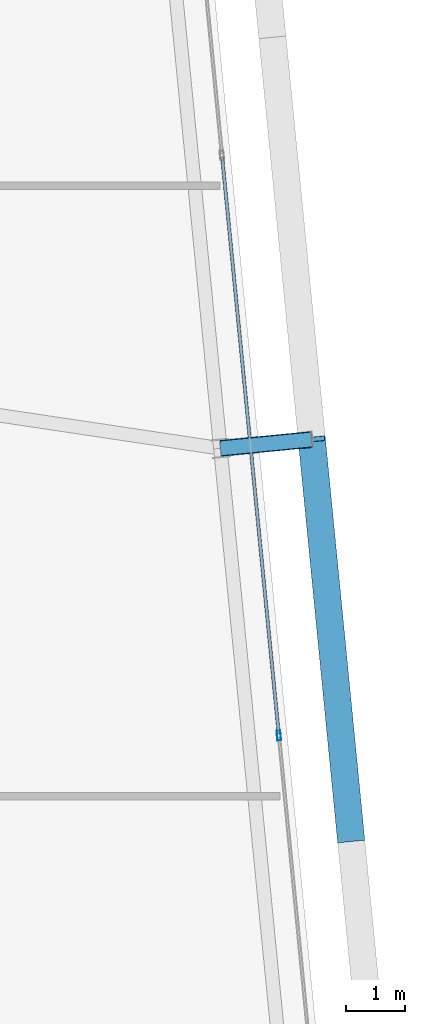
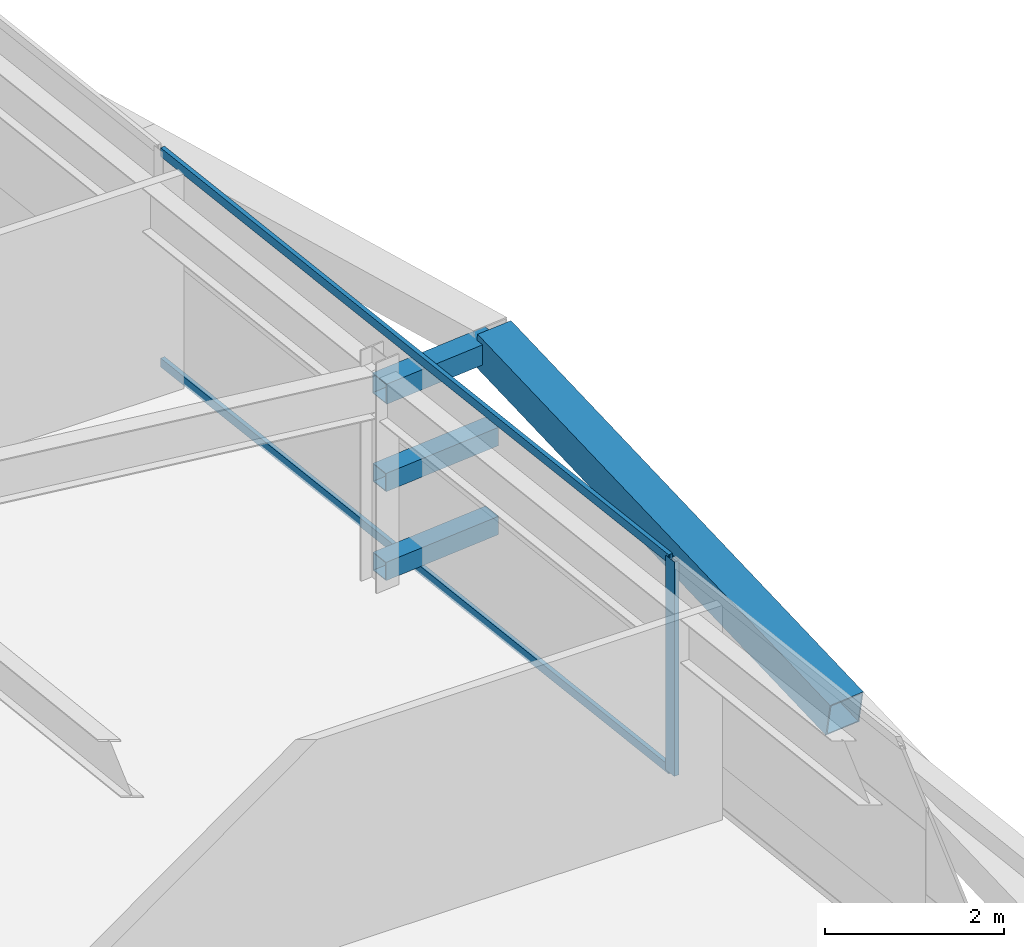
# One storey, part 21 of 47: 7 members, 1 element without a shape of its own.
"""IFC4 building model written with IfcOpenShell, lengths in metres."""

from ifc_helpers import new_model, si_unit, direction, frame, origin, origin_2d, place, context, subcontext, project, spatial, hollow_rectangle, extrude, source, transform, mapped, material, layer, layer_set, material_profile, profile_set, type_object, element, aggregate, save


model = new_model("IFC4")

# Units and contexts
model_context = context("Model", 3, precision=1e-05, world=origin(), true_north=direction((0.0, 1.0)))
body_context = subcontext(model_context, "Body", "Model", "MODEL_VIEW")
ifc_project = project(units=[si_unit("LENGTHUNIT", "METRE"), si_unit("AREAUNIT", "SQUARE_METRE"), si_unit("VOLUMEUNIT", "CUBIC_METRE"), si_unit("PLANEANGLEUNIT", "RADIAN"), si_unit("MASSUNIT", "GRAM", prefix="KILO")], contexts=[model_context])

# Site, building, storey
site_placement = place(None, origin())
site = spatial("IfcSite", under=ifc_project, at=site_placement, CompositionType="ELEMENT")
building_placement = place(site_placement, origin())
building = spatial("IfcBuilding", under=site, at=building_placement, Name="Taldren Reach Tower", CompositionType="ELEMENT")
storey_placement = place(building_placement, frame((0.0, 0.0, 87.14990234375)))
storey = spatial("IfcBuildingStorey", under=building, at=storey_placement, Name="L26", CompositionType="ELEMENT", Elevation=87.14990234375)

# Members
ifc_material_1 = material(Name="Steel Gr 450 (C450L0)", Category="steel")
ifc_material_profile_1 = material_profile(ifc_material_1, hollow_rectangle(XDim=0.27490234375, YDim=0.27490234375, WallThickness=0.00927734375, at=origin_2d()), Name="275x275x9.3SHS")
ifc_profile_set_1 = profile_set([ifc_material_profile_1], Name="Steel Gr 450 (C450L0)")
member_type_1 = type_object("IfcMemberType", Name="MB-TIE273", PredefinedType="STRUT", material=ifc_profile_set_1)
shared_shape_1 = source(origin(), body_context, "Body", "SweptSolid", [
    extrude(hollow_rectangle(XDim=0.27490234375, YDim=0.27490234375, WallThickness=0.00927734375, at=origin_2d()), origin(), (0.0, 0.0, 1.0), 1.5498046875),
])
member_1_placement = place(storey_placement, frame((64.569580078125, 21.968994140625, 2.650146484375), z_axis=(0.995234821595, 0.097507178627, 0.0), x_axis=(-0.097507178627, 0.995234821595, 0.0)))
element("IfcMember", 1, at=member_1_placement, inside=storey, type_object=member_type_1, Name="Exoskeleton diaphragm tie strut B2-E2 L26", PredefinedType="STRUT", context=body_context, shape_type="MappedRepresentation", body=[
    mapped(shared_shape_1, transform((0.0, 0.0, 0.0), scale=1.0)),
])
ifc_material_2 = material(Name="Steel Gr 350 (C350L0)", Category="steel")
ifc_material_profile_2 = material_profile(ifc_material_2, hollow_rectangle(XDim=0.25, YDim=0.25, WallThickness=0.010009765625, at=origin_2d()), Name="250x250x10.0SHS")
ifc_profile_set_2 = profile_set([ifc_material_profile_2], Name="Steel Gr 350 (C350L0)")
member_type_2 = type_object("IfcMemberType", Name="MB-POST250", PredefinedType="POST", material=ifc_profile_set_2)
shared_shape_2 = source(origin(), body_context, "Body", "SweptSolid", [
    extrude(hollow_rectangle(XDim=0.25, YDim=0.25, WallThickness=0.010009765625, at=origin_2d()), origin(), (0.0, 0.0, 1.0), 1.5498046875),
])
for number, where, z_axis, x_axis, name in (
    (2, (64.569580078125, 21.968994140625, 0.22021484375), (0.995234821595, 0.097507178627, 0.0), (-0.097507178627, 0.995234821595, 0.0), "Exoskeleton base diaphragm tie strut B2-E2 L26"),
    (3, (64.569580078125, 21.968994140625, 1.43505859375), (0.995234821595, 0.097507178627, 0.0), (-0.097507178627, 0.995234821595, 0.0), "Exoskeleton mid-tier diaphragm tie B2-E2 L26"),
):
    element("IfcMember", number, at=place(storey_placement, frame(where, z_axis=z_axis, x_axis=x_axis)), inside=storey, type_object=member_type_2, Name=name, PredefinedType="POST", context=body_context, shape_type="MappedRepresentation", body=[
        mapped(shared_shape_2, transform((0.0, 0.0, 0.0), scale=1.0)),
    ])
ifc_material_profile_3 = material_profile(ifc_material_1, hollow_rectangle(XDim=0.4599609375, YDim=0.4599609375, WallThickness=0.01611328125, at=origin_2d()), Name="460x460x16.0SHS")
ifc_profile_set_3 = profile_set([ifc_material_profile_3], Name="Steel Gr 450 (C450L0)")
member_type_3 = type_object("IfcMemberType", Name="MB-EXO457", PredefinedType="BRACE", material=ifc_profile_set_3)
shared_shape_3 = source(origin(), body_context, "Body", "SweptSolid", [
    extrude(hollow_rectangle(XDim=0.4599609375, YDim=0.4599609375, WallThickness=0.01611328125, at=origin_2d()), origin(), (0.0, 0.0, 1.0), 6.883056640625),
])
member_2_placement = place(storey_placement, frame((66.773193359375, 15.37744140625, 1.43505859375), z_axis=(-0.09605145821, 0.97959718347, 0.176531797456), x_axis=(-0.995227290009, -0.097584021339, 0.0)))
element("IfcMember", 4, at=member_2_placement, inside=storey, type_object=member_type_3, Name="Exoskeleton Diagrid Brace B2-E1 L26", PredefinedType="BRACE", context=body_context, shape_type="MappedRepresentation", body=[
    mapped(shared_shape_3, transform((0.0, 0.0, 0.0), scale=1.0)),
])

# Curtain wall, members
ifc_material_3 = material(Name="Aluminium and Low-E Glass Unitised System", Category="aluminium")
ifc_layer = layer(ifc_material_3, 0.159912109375)
ifc_layer_set = layer_set([ifc_layer], Name="Aluminium and Low-E Glass Unitised System")
curtain_wall_type = type_object("IfcCurtainWallType", Name="CW-SYS-3", PredefinedType="NOTDEFINED", material=ifc_layer_set)
curtain_wall_placement = place(storey_placement, origin())
curtain_wall = element("IfcCurtainWall", 5, at=curtain_wall_placement, inside=storey, type_object=curtain_wall_type, Name="Unitised curtain wall CW-L26-E", PredefinedType="NOTDEFINED")
ifc_material_4 = material(Name="Anodised Aluminium 6063-T6", Category="aluminium")
ifc_material_profile_4 = material_profile(ifc_material_4, hollow_rectangle(XDim=0.06494140625, YDim=0.1650390625, WallThickness=0.00390625, at=origin_2d()), Name="ALU-165x65x4RHS")
ifc_profile_set_4 = profile_set([ifc_material_profile_4], Name="Anodised Aluminium 6063-T6")
member_type_4 = type_object("IfcMemberType", Name="CW-MUL-165", PredefinedType="MULLION", material=ifc_profile_set_4)
shared_shape_4 = source(origin(), body_context, "Body", "SweptSolid", [
    extrude(hollow_rectangle(XDim=0.06494140625, YDim=0.1650390625, WallThickness=0.00390625, at=origin_2d()), origin(), (0.0, 0.0, 1.0), 2.93017578125),
])
member_3_placement = place(storey_placement, frame((65.556884765625, 17.12548828125, 0.0), z_axis=(0.0, 0.0, 1.0), x_axis=(-0.99522741555, -0.09758274098, 0.0)))
member_3 = element("IfcMember", 6, at=member_3_placement, type_object=member_type_4, Name="CW-3 mullion 2", PredefinedType="MULLION", context=body_context, shape_type="MappedRepresentation", body=[
    mapped(shared_shape_4, transform((0.0, 0.0, 0.0), scale=1.0)),
])
ifc_material_profile_5 = material_profile(ifc_material_4, hollow_rectangle(XDim=0.054931640625, YDim=0.1201171875, WallThickness=0.0029296875, at=origin_2d()), Name="ALU-120x55x3RHS")
ifc_profile_set_5 = profile_set([ifc_material_profile_5], Name="Anodised Aluminium 6063-T6")
member_type_5 = type_object("IfcMemberType", Name="CW-TRN-135", PredefinedType="USERDEFINED", material=ifc_profile_set_5)
shared_shape_5 = source(origin(), body_context, "Body", "SweptSolid", [
    extrude(hollow_rectangle(XDim=0.054931640625, YDim=0.1201171875, WallThickness=0.0029296875, at=origin_2d()), origin(), (0.0, 0.0, 1.0), 9.768310546875),
])
member_4_placement = place(storey_placement, frame((65.5537109375, 17.15771484375, 0.027587890625), z_axis=(-0.097598120756, 0.995225907432, 0.0), x_axis=(-0.995225907432, -0.097598120756, 0.0)))
member_4 = element("IfcMember", 7, at=member_4_placement, type_object=member_type_5, Name="CW-3 transom 2.1", ObjectType="TRANSOM", PredefinedType="USERDEFINED", context=body_context, shape_type="MappedRepresentation", body=[
    mapped(shared_shape_5, transform((0.0, 0.0, 0.0), scale=1.0)),
])
member_5_placement = place(storey_placement, frame((65.5537109375, 17.15771484375, 2.902587890625), z_axis=(-0.097598120756, 0.995225907432, 0.0), x_axis=(-0.995225907432, -0.097598120756, 0.0)))
member_5 = element("IfcMember", 8, at=member_5_placement, type_object=member_type_5, Name="CW-3 transom 2.2", ObjectType="TRANSOM", PredefinedType="USERDEFINED", context=body_context, shape_type="MappedRepresentation", body=[
    mapped(shared_shape_5, transform((0.0, 0.0, 0.0), scale=1.0)),
])
aggregate(curtain_wall, [member_3, member_4, member_5])

save(model, "model.ifc")
